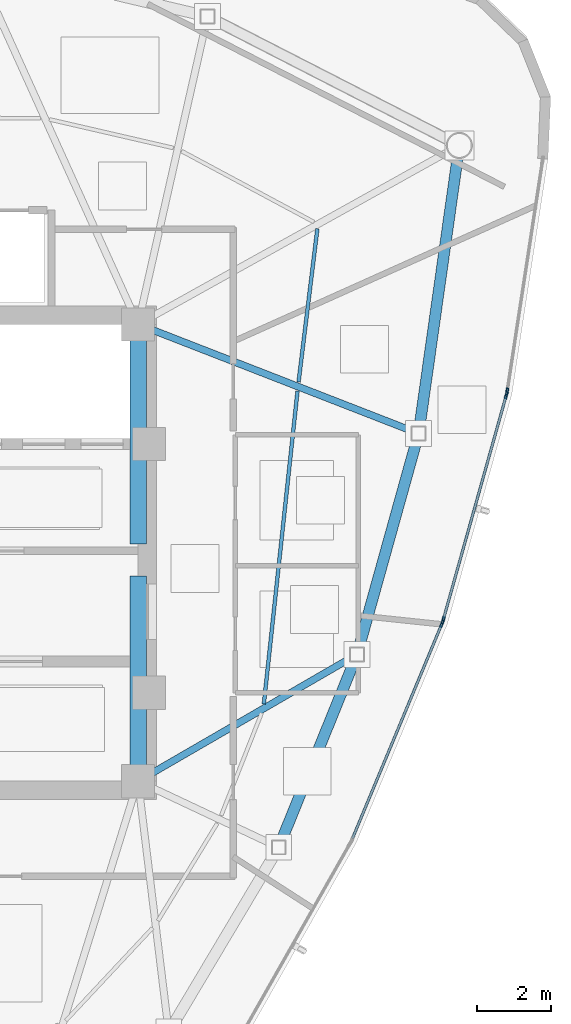
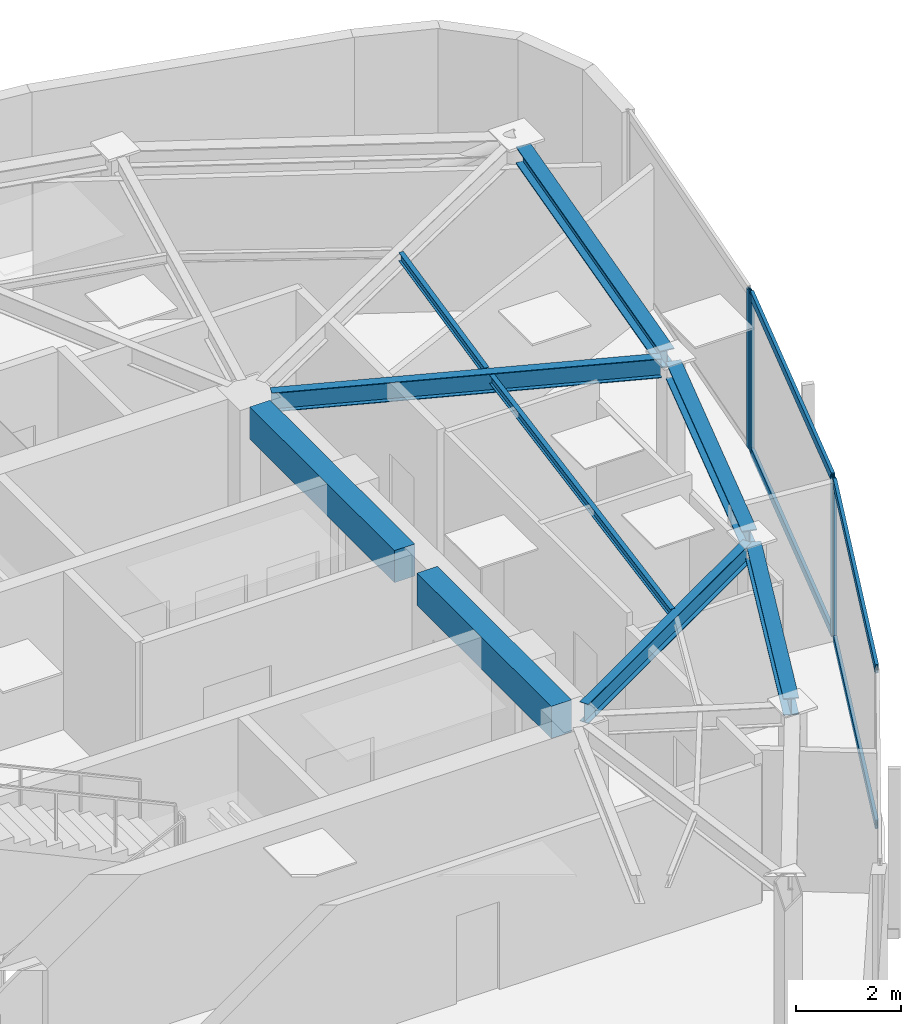
# One storey, part 4 of 11: 9 beams, 8 members, 3 elements without a shape of their own.
"""IFC4 building model written with IfcOpenShell, lengths in metres."""

from ifc_helpers import new_model, si_unit, direction, frame, origin, origin_2d, place, context, subcontext, project, spatial, rectangle, hollow_rectangle, i_section, extrude, source, transform, mapped, material, layer, layer_set, material_profile, profile_set, type_object, type_shapes, element, aggregate, save


model = new_model("IFC4")

# Units and contexts
model_context = context("Model", 3, precision=1e-05, world=origin(), true_north=direction((0.0, 1.0)))
body_context = subcontext(model_context, "Body", "Model", "MODEL_VIEW")
ifc_project = project(units=[si_unit("LENGTHUNIT", "METRE"), si_unit("AREAUNIT", "SQUARE_METRE"), si_unit("VOLUMEUNIT", "CUBIC_METRE"), si_unit("PLANEANGLEUNIT", "RADIAN"), si_unit("MASSUNIT", "GRAM", prefix="KILO")], contexts=[model_context])

# Site, building, storey
site_placement = place(None, origin())
site = spatial("IfcSite", under=ifc_project, at=site_placement, CompositionType="ELEMENT")
building_placement = place(site_placement, origin())
building = spatial("IfcBuilding", under=site, at=building_placement, Name="Tavelor Broadcast Tower", CompositionType="ELEMENT")
storey_placement = place(building_placement, frame((0.0, 0.0, 313.5)))
storey = spatial("IfcBuildingStorey", under=building, at=storey_placement, Name="L75", CompositionType="ELEMENT", Elevation=313.5)

# Beams
ifc_material_1 = material(Name="Concrete C40/50", Category="concrete")
ifc_material_profile_1 = material_profile(ifc_material_1, rectangle(XDim=0.449951171875, YDim=0.75, at=origin_2d()), Name="RC 450x750")
ifc_profile_set_1 = profile_set([ifc_material_profile_1], Name="Concrete C40/50")
beam_type_1 = type_object("IfcBeamType", Name="Basement Core Trim Beam 450x750", PredefinedType="BEAM", material=ifc_profile_set_1)
beam_1_placement = place(storey_placement, frame((56.60009765625, 45.23193359375, 3.324951171875), z_axis=(0.0, 1.0, 0.0), x_axis=(-1.0, 0.0, 0.0)))
element("IfcBeam", 1, at=beam_1_placement, inside=storey, type_object=beam_type_1, Name="L75 Core East-N Tie Girder", PredefinedType="BEAM", context=body_context, shape_type="SweptSolid", body=[
    extrude(rectangle(XDim=0.449951171875, YDim=0.75, at=origin_2d()), origin(), (0.0, 0.0, 1.0), 5.5361328125),
])
beam_2_placement = place(storey_placement, frame((56.60009765625, 39.23193359375, 3.324951171875), z_axis=(0.0, 1.0, 0.0), x_axis=(-1.0, 0.0, 0.0)))
element("IfcBeam", 2, at=beam_2_placement, inside=storey, type_object=beam_type_1, Name="L75 Core East-S Tie Girder", PredefinedType="BEAM", context=body_context, shape_type="SweptSolid", body=[
    extrude(rectangle(XDim=0.449951171875, YDim=0.75, at=origin_2d()), origin(), (0.0, 0.0, 1.0), 5.135986328125),
])
ifc_material_2 = material(Name="Steel S355", Category="steel")
ifc_material_profile_2 = material_profile(ifc_material_2, i_section(OverallWidth=0.10009765625, OverallDepth=0.199951171875, WebThickness=0.005615234375, FlangeThickness=0.008544921875, at=origin_2d()), Name="IPE 200")
ifc_profile_set_2 = profile_set([ifc_material_profile_2], Name="Steel S355")
beam_type_2 = type_object("IfcBeamType", Name="Composite Floor Joist T8 IPE 200", PredefinedType="JOIST", material=ifc_profile_set_2)
beam_3_placement = place(storey_placement, frame((60.01318359375, 40.89111328125, 3.60009765625), z_axis=(0.107016283825, 0.994257268013, 0.0), x_axis=(-0.994257268013, 0.107016283825, 0.0)))
element("IfcBeam", 3, at=beam_3_placement, inside=storey, type_object=beam_type_2, Name="L75 Secondary Composite Floor Joist 11", PredefinedType="JOIST", context=body_context, shape_type="SweptSolid", body=[
    extrude(i_section(OverallWidth=0.10009765625, OverallDepth=0.199951171875, WebThickness=0.005615234375, FlangeThickness=0.008544921875, at=origin_2d()), origin(), (0.0, 0.0, 1.0), 8.5458984375),
])
beam_4_placement = place(storey_placement, frame((60.9560546875, 49.6337890625, 3.60009765625), z_axis=(0.121805765002, 0.992553956021, 0.0), x_axis=(-0.992553956021, 0.121805765002, 0.0)))
element("IfcBeam", 4, at=beam_4_placement, inside=storey, type_object=beam_type_2, Name="L75 Secondary Composite Floor Joist 12", PredefinedType="JOIST", context=body_context, shape_type="SweptSolid", body=[
    extrude(i_section(OverallWidth=0.10009765625, OverallDepth=0.199951171875, WebThickness=0.005615234375, FlangeThickness=0.008544921875, at=origin_2d()), origin(), (0.0, 0.0, 1.0), 4.193115234375),
])
ifc_material_profile_3 = material_profile(ifc_material_2, i_section(OverallWidth=0.300048828125, OverallDepth=0.39990234375, WebThickness=0.013427734375, FlangeThickness=0.02392578125, at=origin_2d()), Name="HEB 400")
ifc_profile_set_3 = profile_set([ifc_material_profile_3], Name="Steel S355")
beam_type_3 = type_object("IfcBeamType", Name="Perimeter Spandrel Beam T8 HEB 400", PredefinedType="SPANDREL", material=ifc_profile_set_3)
beam_5_placement = place(storey_placement, frame((60.48974609375, 37.182373046875, 3.5), z_axis=(0.376276339412, 0.926507483186, 0.0), x_axis=(-0.926507483186, 0.376276339412, 0.0)))
element("IfcBeam", 5, at=beam_5_placement, inside=storey, type_object=beam_type_3, Name="L75 Framed-Tube Ring Spandrel 10", PredefinedType="SPANDREL", context=body_context, shape_type="SweptSolid", body=[
    extrude(i_section(OverallWidth=0.300048828125, OverallDepth=0.39990234375, WebThickness=0.013427734375, FlangeThickness=0.02392578125, at=origin_2d()), origin(), (0.0, 0.0, 1.0), 5.267333984375),
])
beam_6_placement = place(storey_placement, frame((62.59521484375, 42.425537109375, 3.5), z_axis=(0.268372403698, 0.963315240684, 0.0), x_axis=(-0.963315240684, 0.268372403698, 0.0)))
element("IfcBeam", 6, at=beam_6_placement, inside=storey, type_object=beam_type_3, Name="L75 Framed-Tube Ring Spandrel 11", PredefinedType="SPANDREL", context=body_context, shape_type="SweptSolid", body=[
    extrude(i_section(OverallWidth=0.300048828125, OverallDepth=0.39990234375, WebThickness=0.013427734375, FlangeThickness=0.02392578125, at=origin_2d()), origin(), (0.0, 0.0, 1.0), 5.84130859375),
])
beam_7_placement = place(storey_placement, frame((64.2412109375, 48.427490234375, 3.5), z_axis=(0.139963539529, 0.990156658111, 0.0), x_axis=(-0.990156658111, 0.139963539529, 0.0)))
element("IfcBeam", 7, at=beam_7_placement, inside=storey, type_object=beam_type_3, Name="L75 Framed-Tube Ring Spandrel 12", PredefinedType="SPANDREL", context=body_context, shape_type="SweptSolid", body=[
    extrude(i_section(OverallWidth=0.300048828125, OverallDepth=0.39990234375, WebThickness=0.013427734375, FlangeThickness=0.02392578125, at=origin_2d()), origin(), (0.0, 0.0, 1.0), 7.36279296875),
])
ifc_material_profile_4 = material_profile(ifc_material_2, i_section(OverallWidth=0.18994140625, OverallDepth=0.449951171875, WebThickness=0.009521484375, FlangeThickness=0.0146484375, at=origin_2d()), Name="IPE 450")
ifc_profile_set_4 = profile_set([ifc_material_profile_4], Name="Steel S355")
beam_type_4 = type_object("IfcBeamType", Name="Radial Floor Girder T8 IPE 450", PredefinedType="BEAM", material=ifc_profile_set_4)
beam_8_placement = place(storey_placement, frame((56.973876953125, 39.016357421875, 3.47509765625), z_axis=(0.865467330789, 0.500965367402, 0.0), x_axis=(-0.500965367402, 0.865467330789, 0.0)))
element("IfcBeam", 8, at=beam_8_placement, inside=storey, type_object=beam_type_4, Name="L75 Radial Primary Floor Girder 11", PredefinedType="BEAM", context=body_context, shape_type="SweptSolid", body=[
    extrude(i_section(OverallWidth=0.18994140625, OverallDepth=0.449951171875, WebThickness=0.009521484375, FlangeThickness=0.0146484375, at=origin_2d()), origin(), (0.0, 0.0, 1.0), 6.243896484375),
])
beam_9_placement = place(storey_placement, frame((57.002685546875, 51.04345703125, 3.47509765625), z_axis=(0.931931795654, -0.362633600552, 0.0), x_axis=(0.362633600552, 0.931931795654, 0.0)))
element("IfcBeam", 9, at=beam_9_placement, inside=storey, type_object=beam_type_4, Name="L75 Radial Primary Floor Girder 12", PredefinedType="BEAM", context=body_context, shape_type="SweptSolid", body=[
    extrude(i_section(OverallWidth=0.18994140625, OverallDepth=0.449951171875, WebThickness=0.009521484375, FlangeThickness=0.0146484375, at=origin_2d()), origin(), (0.0, 0.0, 1.0), 7.54638671875),
])

# Curtain wall, member
ifc_material_3 = material(Name="Architectural Anodized Aluminium", Category="aluminium")
ifc_layer = layer(ifc_material_3, 0.199951171875)
ifc_layer_set = layer_set([ifc_layer], Name="Architectural Anodized Aluminium")
curtain_wall_type = type_object("IfcCurtainWallType", Name="Tower High-Zone Triple-Glazed Curtain Wall CW04", PredefinedType="NOTDEFINED", material=ifc_layer_set)
curtain_wall_1_placement = place(storey_placement, origin())
curtain_wall_1 = element("IfcCurtainWall", 10, at=curtain_wall_1_placement, inside=storey, type_object=curtain_wall_type, Name="L75 Curtain Wall CW04 Run 834", PredefinedType="NOTDEFINED")
ifc_material_profile_5 = material_profile(ifc_material_3, hollow_rectangle(XDim=0.070068359375, YDim=0.199951171875, WallThickness=0.02197265625, at=origin_2d()), Name="RHS 70x200x22")
ifc_profile_set_5 = profile_set([ifc_material_profile_5], Name="Architectural Anodized Aluminium")
member_type_1 = type_object("IfcMemberType", Name="CW04 Extruded Aluminium Mullion 70x200", PredefinedType="MULLION", material=ifc_profile_set_5)
shared_shape_1 = source(origin(), body_context, "Body", "SweptSolid", [
    extrude(hollow_rectangle(XDim=0.070068359375, YDim=0.199951171875, WallThickness=0.02197265625, at=origin_2d()), origin(), (0.0, 0.0, 1.0), 3.699951171875),
])
type_shapes(member_type_1, [shared_shape_1])
member_1_placement = place(storey_placement, frame((64.846923828125, 43.072509765625, 0.0), z_axis=(0.0, 0.0, 1.0), x_axis=(-0.92304418121, 0.384693955678, 0.0)))
member_1 = element("IfcMember", 11, at=member_1_placement, type_object=member_type_1, Name="CW04 mullion 2", PredefinedType="MULLION", context=body_context, shape_type="MappedRepresentation", body=[
    mapped(shared_shape_1, transform((0.0, 0.0, 0.0), scale=1.0)),
])

# Curtain wall, members
curtain_wall_2_placement = place(storey_placement, origin())
curtain_wall_2 = element("IfcCurtainWall", 12, at=curtain_wall_2_placement, inside=storey, type_object=curtain_wall_type, Name="L75 Curtain Wall CW04 Run 835", PredefinedType="NOTDEFINED")
member_2_placement = place(storey_placement, frame((64.879638671875, 43.166748046875, 0.0), z_axis=(0.0, 0.0, 1.0), x_axis=(-0.962813499623, 0.270166920521, 0.0)))
member_2 = element("IfcMember", 13, at=member_2_placement, type_object=member_type_1, Name="CW04 mullion 1", PredefinedType="MULLION", context=body_context, shape_type="MappedRepresentation", body=[
    mapped(shared_shape_1, transform((0.0, 0.0, 0.0), scale=1.0)),
])
member_3_placement = place(storey_placement, frame((66.59423828125, 49.277099609375, 0.0), z_axis=(0.0, 0.0, 1.0), x_axis=(-0.962813499623, 0.270166920521, 0.0)))
member_3 = element("IfcMember", 14, at=member_3_placement, type_object=member_type_1, Name="CW04 mullion 2", PredefinedType="MULLION", context=body_context, shape_type="MappedRepresentation", body=[
    mapped(shared_shape_1, transform((0.0, 0.0, 0.0), scale=1.0)),
])

# Curtain wall, member
curtain_wall_3_placement = place(storey_placement, origin())
curtain_wall_3 = element("IfcCurtainWall", 15, at=curtain_wall_3_placement, inside=storey, type_object=curtain_wall_type, Name="L75 Curtain Wall CW04 Run 836", PredefinedType="NOTDEFINED")
member_4_placement = place(storey_placement, frame((66.615478515625, 49.374755859375, 0.0), z_axis=(0.0, 0.0, 1.0), x_axis=(-0.988430575167, 0.151673986151, 0.0)))
member_4 = element("IfcMember", 16, at=member_4_placement, type_object=member_type_1, Name="CW04 mullion 1", PredefinedType="MULLION", context=body_context, shape_type="MappedRepresentation", body=[
    mapped(shared_shape_1, transform((0.0, 0.0, 0.0), scale=1.0)),
])
aggregate(curtain_wall_3, [member_4])

# Member
ifc_material_profile_6 = material_profile(ifc_material_3, hollow_rectangle(XDim=0.070068359375, YDim=0.199951171875, WallThickness=0.02197265625, at=origin_2d()), Name="RHS 70x200x22")
ifc_profile_set_6 = profile_set([ifc_material_profile_6], Name="Architectural Anodized Aluminium")
member_type_2 = type_object("IfcMemberType", Name="CW04 Extruded Aluminium Transom 70x200", PredefinedType="USERDEFINED", material=ifc_profile_set_6)
shared_shape_2 = source(origin(), body_context, "Body", "SweptSolid", [
    extrude(hollow_rectangle(XDim=0.070068359375, YDim=0.199951171875, WallThickness=0.02197265625, at=origin_2d()), origin(), (0.0, 0.0, 1.0), 6.2763671875),
])
type_shapes(member_type_2, [shared_shape_2])
member_5_placement = place(storey_placement, frame((62.4189453125, 37.246826171875, 0.034912109375), z_axis=(0.384698242069, 0.923042394773, 0.0), x_axis=(-0.923042394773, 0.384698242069, 0.0)))
member_5 = element("IfcMember", 17, at=member_5_placement, type_object=member_type_2, Name="CW04 transom 1.1", ObjectType="TRANSOM", PredefinedType="USERDEFINED", context=body_context, shape_type="MappedRepresentation", body=[
    mapped(shared_shape_2, transform((0.0, 0.0, 0.0), scale=1.0)),
])

member_6_placement = place(storey_placement, frame((62.4189453125, 37.246826171875, 3.6650390625), z_axis=(0.384698242069, 0.923042394773, 0.0), x_axis=(-0.923042394773, 0.384698242069, 0.0)))
member_6 = element("IfcMember", 18, at=member_6_placement, type_object=member_type_2, Name="CW04 transom 1.2", ObjectType="TRANSOM", PredefinedType="USERDEFINED", context=body_context, shape_type="MappedRepresentation", body=[
    mapped(shared_shape_2, transform((0.0, 0.0, 0.0), scale=1.0)),
])

aggregate(curtain_wall_1, [member_1, member_5, member_6])

member_7_placement = place(storey_placement, frame((64.88916015625, 43.200439453125, 0.034912109375), z_axis=(0.270186805505, 0.962807919645, 0.0), x_axis=(-0.962807919645, 0.270186805505, 0.0)))
member_7 = element("IfcMember", 19, at=member_7_placement, type_object=member_type_2, Name="CW04 transom 1.1", ObjectType="TRANSOM", PredefinedType="USERDEFINED", context=body_context, shape_type="MappedRepresentation", body=[
    mapped(shared_shape_2, transform((0.0, 0.0, 0.0), scale=1.0)),
])

member_8_placement = place(storey_placement, frame((64.88916015625, 43.200439453125, 3.6650390625), z_axis=(0.270186805505, 0.962807919645, 0.0), x_axis=(-0.962807919645, 0.270186805505, 0.0)))
member_8 = element("IfcMember", 20, at=member_8_placement, type_object=member_type_2, Name="CW04 transom 1.2", ObjectType="TRANSOM", PredefinedType="USERDEFINED", context=body_context, shape_type="MappedRepresentation", body=[
    mapped(shared_shape_2, transform((0.0, 0.0, 0.0), scale=1.0)),
])

aggregate(curtain_wall_2, [member_2, member_3, member_7, member_8])

save(model, "model.ifc")
